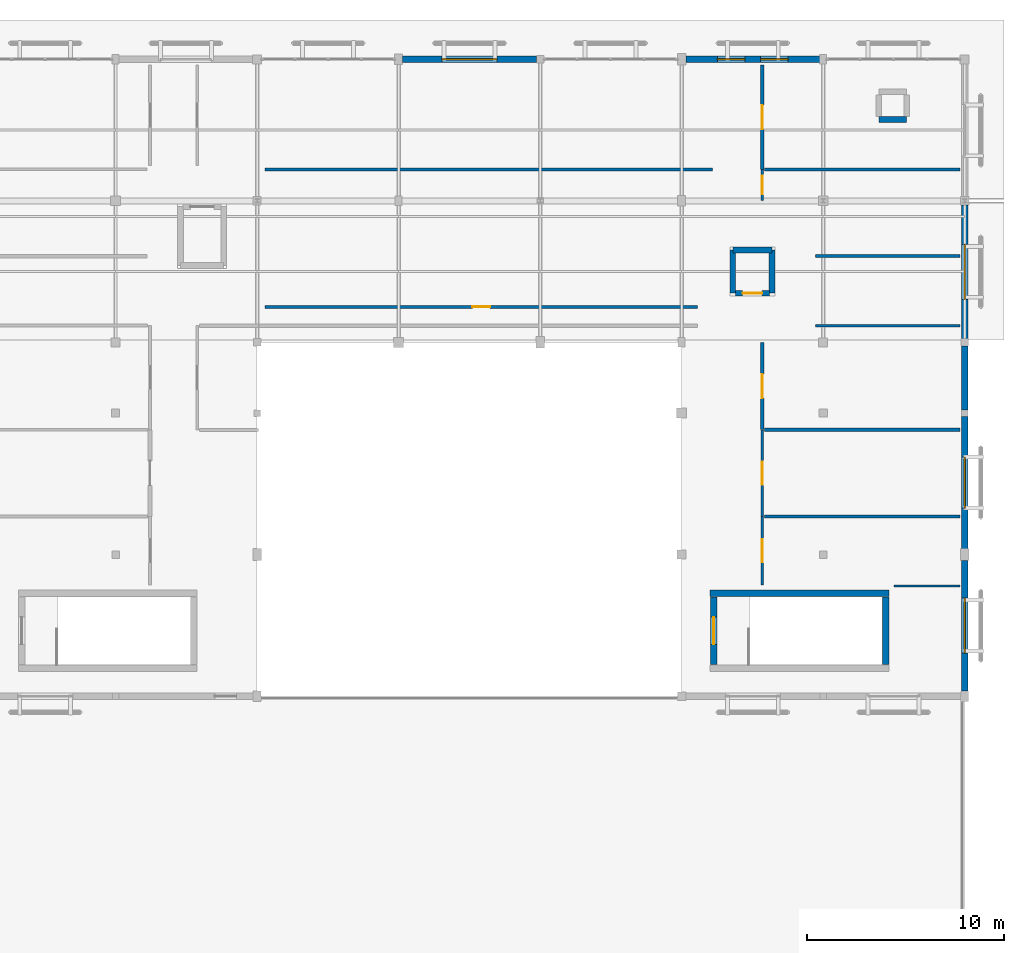
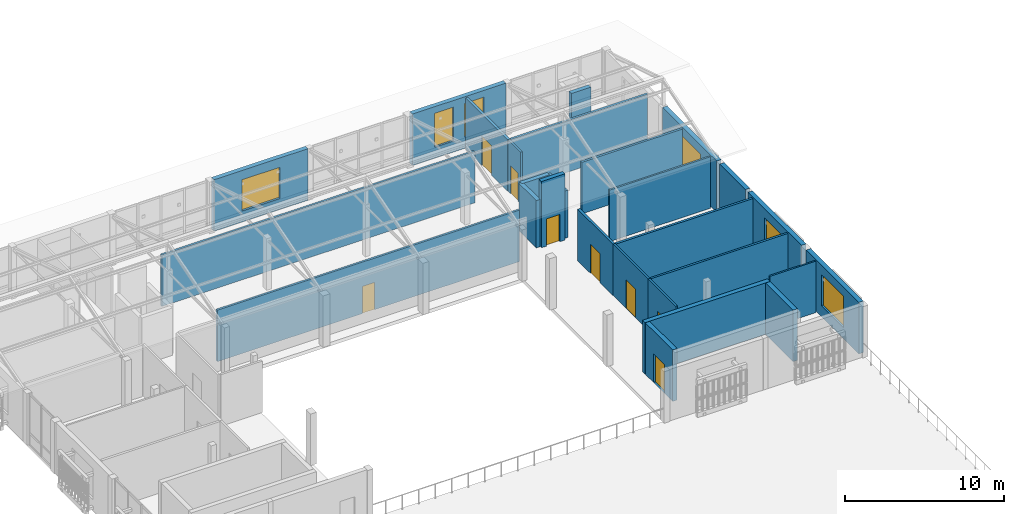
# One storey, part 52 of 61: 27 walls, 8 doors, 6 windows, 14 openings.
"""IFC4 building model written with IfcOpenShell, lengths in metres."""

from ifc_helpers import new_model, si_unit, direction, frame, frame_2d, origin, place, context, subcontext, project, spatial, rectangle, extrude, material, layer, layer_set, type_object, element, fill, save


model = new_model("IFC4")

# Units and contexts
model_context = context("Model", 3, precision=1e-05, world=origin(), true_north=direction((0.0, 1.0)))
body_context = subcontext(model_context, "Body", "Model", "MODEL_VIEW")
ifc_project = project(units=[si_unit("LENGTHUNIT", "METRE"), si_unit("AREAUNIT", "SQUARE_METRE"), si_unit("VOLUMEUNIT", "CUBIC_METRE"), si_unit("PLANEANGLEUNIT", "RADIAN"), si_unit("MASSUNIT", "GRAM", prefix="KILO")], contexts=[model_context])

# Site, building, storey
site_placement = place(None, origin())
site = spatial("IfcSite", under=ifc_project, at=site_placement, CompositionType="ELEMENT")
building_placement = place(site_placement, origin())
building = spatial("IfcBuilding", under=site, at=building_placement, Name="Mazaris Harbour Polytechnic", CompositionType="ELEMENT")
storey_placement = place(building_placement, frame((0.0, 0.0, 18.0)))
storey = spatial("IfcBuildingStorey", under=building, at=storey_placement, Name="L04", CompositionType="ELEMENT", Elevation=18.0)

# Walls
ifc_material_1 = material(Name="Gypsum Board and Mineral Wool")
ifc_layer_1 = layer(ifc_material_1, 0.1201171875, Name="Gypsum Board and Mineral Wool")
ifc_layer_set_1 = layer_set([ifc_layer_1], Name="Gypsum Board and Mineral Wool")
wall_type_1 = type_object("IfcWallType", Name="Acoustic Stud Partition 120", PredefinedType="PARTITIONING", material=ifc_layer_set_1)
wall_1_placement = place(storey_placement, frame((169.205078125, 74.0, 0.0), z_axis=(0.0, 0.0, 1.0), x_axis=(1.0, 0.0, 0.0)))
element("IfcWall", 1, at=wall_1_placement, inside=storey, type_object=wall_type_1, Name="V5 L04 Partition 679", PredefinedType="PARTITIONING", context=body_context, shape_type="SweptSolid", body=[
    extrude(rectangle(XDim=3.344970703125, YDim=0.1201171875, at=frame_2d((1.67236328125, 0.0))), origin(), (0.0, 0.0, 1.0), 3.9599609375),
])
wall_2_placement = place(storey_placement, frame((165.205078125, 87.25, 0.0), z_axis=(0.0, 0.0, 1.0), x_axis=(1.0, 0.0, 0.0)))
element("IfcWall", 2, at=wall_2_placement, inside=storey, type_object=wall_type_1, Name="V5 L04 Partition 684", PredefinedType="PARTITIONING", context=body_context, shape_type="SweptSolid", body=[
    extrude(rectangle(XDim=7.344970703125, YDim=0.1201171875, at=frame_2d((3.67236328125, 0.0))), origin(), (0.0, 0.0, 1.0), 3.9599609375),
])
ifc_material_2 = material(Name="Double Gypsum and Mineral Wool")
ifc_layer_2 = layer(ifc_material_2, 0.14990234375, Name="Double Gypsum and Mineral Wool")
ifc_layer_set_2 = layer_set([ifc_layer_2], Name="Double Gypsum and Mineral Wool")
wall_type_2 = type_object("IfcWallType", Name="Classroom Acoustic Partition 150", PredefinedType="PARTITIONING", material=ifc_layer_set_2)
wall_3_placement = place(storey_placement, frame((137.205078125, 95.199951171875, 0.0), z_axis=(0.0, 0.0, 1.0), x_axis=(1.0, 0.0, 0.0)))
element("IfcWall", 3, at=wall_3_placement, inside=storey, type_object=wall_type_2, Name="V5 L04 Partition 677", PredefinedType="PARTITIONING", context=body_context, shape_type="SweptSolid", body=[
    extrude(rectangle(XDim=22.77490234375, YDim=0.14990234375, at=frame_2d((11.387451171875, 0.0))), origin(), (0.0, 0.0, 1.0), 3.9599609375),
])
wall_4_placement = place(storey_placement, frame((162.6201171875, 77.532958984375, 0.0), z_axis=(0.0, 0.0, 1.0), x_axis=(1.0, 0.0, 0.0)))
element("IfcWall", 4, at=wall_4_placement, inside=storey, type_object=wall_type_2, Name="V5 L04 Partition 680", PredefinedType="PARTITIONING", context=body_context, shape_type="SweptSolid", body=[
    extrude(rectangle(XDim=9.929931640625, YDim=0.14990234375, at=frame_2d((4.96484375, 0.0))), origin(), (0.0, 0.0, 1.0), 3.9599609375),
])
wall_5_placement = place(storey_placement, frame((165.205078125, 90.782958984375, 0.0), z_axis=(0.0, 0.0, 1.0), x_axis=(1.0, 0.0, 0.0)))
element("IfcWall", 5, at=wall_5_placement, inside=storey, type_object=wall_type_2, Name="V5 L04 Partition 686", PredefinedType="PARTITIONING", context=body_context, shape_type="SweptSolid", body=[
    extrude(rectangle(XDim=7.344970703125, YDim=0.14990234375, at=frame_2d((3.67236328125, 0.0))), origin(), (0.0, 0.0, 1.0), 3.9599609375),
])

# Wall, opening, door
ifc_material_3 = material(Name="Terracotta Block and Plaster", Category="masonry")
ifc_layer_3 = layer(ifc_material_3, 0.179931640625, Name="Terracotta Block and Plaster")
ifc_layer_set_3 = layer_set([ifc_layer_3], Name="Terracotta Block and Plaster")
wall_type_3 = type_object("IfcWallType", Name="Corridor Fire Partition 180", PredefinedType="PARTITIONING", material=ifc_layer_set_3)
wall_6_placement = place(storey_placement, frame((162.5, 81.955078125, 0.0), z_axis=(0.0, 0.0, 1.0), x_axis=(0.0, 1.0, 0.0)))
wall_6 = element("IfcWall", 6, at=wall_6_placement, inside=storey, type_object=wall_type_3, Name="V5 L04 Partition 683", PredefinedType="PARTITIONING", context=body_context, shape_type="SweptSolid", body=[
    extrude(rectangle(XDim=4.43994140625, YDim=0.179931640625, at=frame_2d((2.219970703125, 0.0))), origin(), (0.0, 0.0, 1.0), 3.9599609375),
])
opening_1_placement = place(wall_6_placement, frame((1.610107421875, 0.0, 0.0)))
opening_1 = element("IfcOpeningElement", 7, at=opening_1_placement, cuts=wall_6, Name="Opening ID-10L", PredefinedType="OPENING", context=body_context, shape_type="SweptSolid", body=[
    extrude(rectangle(XDim=1.219970703125, YDim=2.25, at=frame_2d((0.60986328125, 1.125))), frame((0.0, 0.099853515625, 0.0), z_axis=(0.0, -1.0, 0.0), x_axis=(1.0, 0.0, 0.0)), (0.0, 0.0, 1.0), 0.199951171875),
])
ifc_material_4 = material(Name="Glulam Timber and Glass", Category="wood")
door_type_1 = type_object("IfcDoorType", Name="Library Commons Door LH 1220x2250", OperationType="SINGLE_SWING_LEFT", PredefinedType="DOOR", material=ifc_material_4)
door_1_placement = place(opening_1_placement, origin())
door_1 = element("IfcDoor", 8, at=door_1_placement, inside=storey, type_object=door_type_1, Name="ID-0331", OperationType="SINGLE_SWING_LEFT", OverallHeight=2.25, OverallWidth=1.219970703125, PredefinedType="DOOR", context=body_context, shape_type="SweptSolid", body=[
    extrude(rectangle(XDim=1.219970703125, YDim=2.25, at=frame_2d((0.60986328125, 1.125))), frame((0.0, 0.02490234375, 0.0), z_axis=(0.0, -1.0, 0.0), x_axis=(1.0, 0.0, 0.0)), (0.0, 0.0, 1.0), 0.050048828125),
])
fill(opening_1, door_1)

wall_7_placement = place(storey_placement, frame((162.5, 95.205078125, 0.0), z_axis=(0.0, 0.0, 1.0), x_axis=(0.0, 1.0, 0.0)))
wall_7 = element("IfcWall", 9, at=wall_7_placement, inside=storey, type_object=wall_type_3, Name="V5 L04 Partition 688", PredefinedType="PARTITIONING", context=body_context, shape_type="SweptSolid", body=[
    extrude(rectangle(XDim=5.294921875, YDim=0.179931640625, at=frame_2d((2.6474609375, 0.0))), origin(), (0.0, 0.0, 1.0), 3.9599609375),
])
opening_2_placement = place(wall_7_placement, frame((2.027587890625, 0.0, 0.0)))
opening_2 = element("IfcOpeningElement", 10, at=opening_2_placement, cuts=wall_7, Name="Opening ID-10R", PredefinedType="OPENING", context=body_context, shape_type="SweptSolid", body=[
    extrude(rectangle(XDim=1.239990234375, YDim=2.25, at=frame_2d((0.6201171875, 1.125))), frame((0.0, 0.099853515625, 0.0), z_axis=(0.0, -1.0, 0.0), x_axis=(1.0, 0.0, 0.0)), (0.0, 0.0, 1.0), 0.199951171875),
])
ifc_material_5 = material(Name="Glulam Timber and Glass", Category="wood")
door_type_2 = type_object("IfcDoorType", Name="Library Commons Door RH 1240x2250", OperationType="SINGLE_SWING_RIGHT", PredefinedType="DOOR", material=ifc_material_5)
door_2_placement = place(opening_2_placement, origin())
door_2 = element("IfcDoor", 11, at=door_2_placement, inside=storey, type_object=door_type_2, Name="ID-0333", OperationType="SINGLE_SWING_RIGHT", OverallHeight=2.25, OverallWidth=1.239990234375, PredefinedType="DOOR", context=body_context, shape_type="SweptSolid", body=[
    extrude(rectangle(XDim=1.239990234375, YDim=2.25, at=frame_2d((0.6201171875, 1.125))), frame((0.0, 0.02490234375, 0.0), z_axis=(0.0, -1.0, 0.0), x_axis=(1.0, 0.0, 0.0)), (0.0, 0.0, 1.0), 0.050048828125),
])
fill(opening_2, door_2)

# Walls
ifc_material_6 = material(Name="Fireboard and Mineral Wool")
ifc_layer_4 = layer(ifc_material_6, 0.1650390625, Name="Fireboard and Mineral Wool")
ifc_layer_set_4 = layer_set([ifc_layer_4], Name="Fireboard and Mineral Wool")
wall_type_4 = type_object("IfcWallType", Name="Laboratory Rated Partition 165", PredefinedType="PARTITIONING", material=ifc_layer_set_4)
for number, where, z_axis, x_axis, name in (
    (12, (162.6201171875, 81.949951171875, 0.0), (0.0, 0.0, 1.0), (1.0, 0.0, 0.0), "V5 L04 Partition 682"),
    (13, (162.6201171875, 95.199951171875, 0.0), (0.0, 0.0, 1.0), (1.0, 0.0, 0.0), "V5 L04 Partition 687"),
):
    element("IfcWall", number, at=place(storey_placement, frame(where, z_axis=z_axis, x_axis=x_axis)), inside=storey, type_object=wall_type_4, Name=name, PredefinedType="PARTITIONING", context=body_context, shape_type="SweptSolid", body=[
        extrude(rectangle(XDim=9.929931640625, YDim=0.1650390625, at=frame_2d((4.96484375, 0.0))), origin(), (0.0, 0.0, 1.0), 3.9599609375),
    ])

# Wall, opening, window
ifc_material_7 = material(Name="Algerian Buff Limestone and Mineral Wool", Category="masonry")
ifc_layer_5 = layer(ifc_material_7, 0.330078125, Name="Algerian Buff Limestone and Mineral Wool")
ifc_layer_set_5 = layer_set([ifc_layer_5], Name="Algerian Buff Limestone and Mineral Wool")
wall_type_5 = type_object("IfcWallType", Name="Limestone Cavity Wall 330", PredefinedType="STANDARD", material=ifc_layer_set_5)
wall_8_placement = place(storey_placement, frame((144.19189453125, 100.800048828125, 0.0), z_axis=(0.0, 0.0, 1.0), x_axis=(1.0, 0.0, 0.0)))
wall_8 = element("IfcWall", 14, at=wall_8_placement, inside=storey, type_object=wall_type_5, Name="V5 L04 Exterior Wall 381", PredefinedType="STANDARD", context=body_context, shape_type="SweptSolid", body=[
    extrude(rectangle(XDim=6.826171875, YDim=0.330078125, at=frame_2d((3.4130859375, 0.0))), origin(), (0.0, 0.0, 1.0), 3.9599609375),
])
opening_3_placement = place(wall_8_placement, frame((2.012939453125, 0.0, 0.85009765625)))
opening_3 = element("IfcOpeningElement", 15, at=opening_3_placement, cuts=wall_8, Name="Opening WN-09", PredefinedType="OPENING", context=body_context, shape_type="SweptSolid", body=[
    extrude(rectangle(XDim=2.800048828125, YDim=2.39990234375, at=frame_2d((1.39990234375, 1.199951171875))), frame((0.0, 0.175048828125, 0.0), z_axis=(0.0, -1.0, 0.0), x_axis=(1.0, 0.0, 0.0)), (0.0, 0.0, 1.0), 0.35009765625),
])
ifc_material_8 = material(Name="Thermally Broken Bronze Aluminium and Low-E Glass", Category="aluminium")
window_type_1 = type_object("IfcWindowType", Name="Studio North Window 2800x2400", PartitioningType="DOUBLE_PANEL_VERTICAL", PredefinedType="WINDOW", material=ifc_material_8)
window_1_placement = place(opening_3_placement, origin())
window_1 = element("IfcWindow", 16, at=window_1_placement, inside=storey, type_object=window_type_1, Name="WN-0442", OverallHeight=2.39990234375, OverallWidth=2.800048828125, PartitioningType="DOUBLE_PANEL_VERTICAL", PredefinedType="WINDOW", context=body_context, shape_type="SweptSolid", body=[
    extrude(rectangle(XDim=2.800048828125, YDim=2.39990234375, at=frame_2d((1.39990234375, 1.199951171875))), frame((0.0, 0.030029296875, 0.0), z_axis=(0.0, -1.0, 0.0), x_axis=(1.0, 0.0, 0.0)), (0.0, 0.0, 1.0), 0.06005859375),
])
fill(opening_3, window_1)

# Wall, openings, windows
wall_9_placement = place(storey_placement, frame((158.612060546875, 100.800048828125, 0.0), z_axis=(0.0, 0.0, 1.0), x_axis=(1.0, 0.0, 0.0)))
wall_9 = element("IfcWall", 17, at=wall_9_placement, inside=storey, type_object=wall_type_5, Name="V5 L04 Exterior Wall 382", PredefinedType="STANDARD", context=body_context, shape_type="SweptSolid", body=[
    extrude(rectangle(XDim=6.81591796875, YDim=0.330078125, at=frame_2d((3.407958984375, 0.0))), origin(), (0.0, 0.0, 1.0), 3.9599609375),
])
opening_4_placement = place(wall_9_placement, frame((1.60791015625, 0.0, 0.85009765625)))
opening_4 = element("IfcOpeningElement", 18, at=opening_4_placement, cuts=wall_9, Name="Opening WN-01", PredefinedType="OPENING", context=body_context, shape_type="SweptSolid", body=[
    extrude(rectangle(XDim=1.39990234375, YDim=2.60009765625, at=frame_2d((0.699951171875, 1.300048828125))), frame((0.0, 0.175048828125, 0.0), z_axis=(0.0, -1.0, 0.0), x_axis=(1.0, 0.0, 0.0)), (0.0, 0.0, 1.0), 0.35009765625),
])
opening_5_placement = place(wall_9_placement, frame((3.80810546875, 0.0, 0.85009765625)))
opening_5 = element("IfcOpeningElement", 19, at=opening_5_placement, cuts=wall_9, Name="Opening WN-01", PredefinedType="OPENING", context=body_context, shape_type="SweptSolid", body=[
    extrude(rectangle(XDim=1.39990234375, YDim=2.60009765625, at=frame_2d((0.699951171875, 1.300048828125))), frame((0.0, 0.175048828125, 0.0), z_axis=(0.0, -1.0, 0.0), x_axis=(1.0, 0.0, 0.0)), (0.0, 0.0, 1.0), 0.35009765625),
])
ifc_material_9 = material(Name="Thermally Broken Bronze Aluminium and Low-E Glass", Category="aluminium")
window_type_2 = type_object("IfcWindowType", Name="Neoclassical Tall Window 1400x2600", PartitioningType="DOUBLE_PANEL_VERTICAL", PredefinedType="WINDOW", material=ifc_material_9)
window_2_placement = place(opening_4_placement, origin())
window_2 = element("IfcWindow", 20, at=window_2_placement, inside=storey, type_object=window_type_2, Name="WN-0443", OverallHeight=2.60009765625, OverallWidth=1.39990234375, PartitioningType="DOUBLE_PANEL_VERTICAL", PredefinedType="WINDOW", context=body_context, shape_type="SweptSolid", body=[
    extrude(rectangle(XDim=1.39990234375, YDim=2.60009765625, at=frame_2d((0.699951171875, 1.300048828125))), frame((0.0, 0.030029296875, 0.0), z_axis=(0.0, -1.0, 0.0), x_axis=(1.0, 0.0, 0.0)), (0.0, 0.0, 1.0), 0.06005859375),
])
fill(opening_4, window_2)
window_3_placement = place(opening_5_placement, origin())
window_3 = element("IfcWindow", 21, at=window_3_placement, inside=storey, type_object=window_type_2, Name="WN-0444", OverallHeight=2.60009765625, OverallWidth=1.39990234375, PartitioningType="DOUBLE_PANEL_VERTICAL", PredefinedType="WINDOW", context=body_context, shape_type="SweptSolid", body=[
    extrude(rectangle(XDim=1.39990234375, YDim=2.60009765625, at=frame_2d((0.699951171875, 1.300048828125))), frame((0.0, 0.030029296875, 0.0), z_axis=(0.0, -1.0, 0.0), x_axis=(1.0, 0.0, 0.0)), (0.0, 0.0, 1.0), 0.06005859375),
])
fill(opening_5, window_3)

# Wall, opening, window
wall_10_placement = place(storey_placement, frame((172.800048828125, 75.30810546875, 0.0), z_axis=(0.0, 0.0, 1.0), x_axis=(0.0, -1.0, 0.0)))
wall_10 = element("IfcWall", 22, at=wall_10_placement, inside=storey, type_object=wall_type_5, Name="V5 L04 Exterior Wall 385", PredefinedType="STANDARD", context=body_context, shape_type="SweptSolid", body=[
    extrude(rectangle(XDim=6.64599609375, YDim=0.330078125, at=frame_2d((3.322998046875, 0.0))), origin(), (0.0, 0.0, 1.0), 3.9599609375),
])
opening_6_placement = place(wall_10_placement, frame((1.923095703125, 0.0, 0.85009765625)))
opening_6 = element("IfcOpeningElement", 23, at=opening_6_placement, cuts=wall_10, Name="Opening WN-09", PredefinedType="OPENING", context=body_context, shape_type="SweptSolid", body=[
    extrude(rectangle(XDim=2.800048828125, YDim=2.39990234375, at=frame_2d((1.39990234375, 1.199951171875))), frame((0.0, 0.175048828125, 0.0), z_axis=(0.0, -1.0, 0.0), x_axis=(1.0, 0.0, 0.0)), (0.0, 0.0, 1.0), 0.35009765625),
])
window_4_placement = place(opening_6_placement, origin())
window_4 = element("IfcWindow", 24, at=window_4_placement, inside=storey, type_object=window_type_1, Name="WN-0447", OverallHeight=2.39990234375, OverallWidth=2.800048828125, PartitioningType="DOUBLE_PANEL_VERTICAL", PredefinedType="WINDOW", context=body_context, shape_type="SweptSolid", body=[
    extrude(rectangle(XDim=2.800048828125, YDim=2.39990234375, at=frame_2d((1.39990234375, 1.199951171875))), frame((0.0, 0.030029296875, 0.0), z_axis=(0.0, -1.0, 0.0), x_axis=(1.0, 0.0, 0.0)), (0.0, 0.0, 1.0), 0.06005859375),
])
fill(opening_6, window_4)

wall_11_placement = place(storey_placement, frame((172.800048828125, 82.637939453125, 0.0), z_axis=(0.0, 0.0, 1.0), x_axis=(0.0, -1.0, 0.0)))
wall_11 = element("IfcWall", 25, at=wall_11_placement, inside=storey, type_object=wall_type_5, Name="V5 L04 Exterior Wall 386", PredefinedType="STANDARD", context=body_context, shape_type="SweptSolid", body=[
    extrude(rectangle(XDim=6.745849609375, YDim=0.330078125, at=frame_2d((3.373046875, 0.0))), origin(), (0.0, 0.0, 1.0), 3.9599609375),
])
opening_7_placement = place(wall_11_placement, frame((2.072998046875, 0.0, 0.85009765625)))
opening_7 = element("IfcOpeningElement", 26, at=opening_7_placement, cuts=wall_11, Name="Opening WN-08", PredefinedType="OPENING", context=body_context, shape_type="SweptSolid", body=[
    extrude(rectangle(XDim=2.60009765625, YDim=2.39990234375, at=frame_2d((1.300048828125, 1.199951171875))), frame((0.0, 0.175048828125, 0.0), z_axis=(0.0, -1.0, 0.0), x_axis=(1.0, 0.0, 0.0)), (0.0, 0.0, 1.0), 0.35009765625),
])
ifc_material_10 = material(Name="Thermally Broken Bronze Aluminium and Low-E Glass", Category="aluminium")
window_type_3 = type_object("IfcWindowType", Name="Studio North Window 2600x2400", PartitioningType="DOUBLE_PANEL_VERTICAL", PredefinedType="WINDOW", material=ifc_material_10)
window_5_placement = place(opening_7_placement, origin())
window_5 = element("IfcWindow", 27, at=window_5_placement, inside=storey, type_object=window_type_3, Name="WN-0448", OverallHeight=2.39990234375, OverallWidth=2.60009765625, PartitioningType="DOUBLE_PANEL_VERTICAL", PredefinedType="WINDOW", context=body_context, shape_type="SweptSolid", body=[
    extrude(rectangle(XDim=2.60009765625, YDim=2.39990234375, at=frame_2d((1.300048828125, 1.199951171875))), frame((0.0, 0.030029296875, 0.0), z_axis=(0.0, -1.0, 0.0), x_axis=(1.0, 0.0, 0.0)), (0.0, 0.0, 1.0), 0.06005859375),
])
fill(opening_7, window_5)

# Wall
wall_12_placement = place(storey_placement, frame((172.800048828125, 86.218017578125, 0.0), z_axis=(0.0, 0.0, 1.0), x_axis=(0.0, -1.0, 0.0)))
element("IfcWall", 28, at=wall_12_placement, inside=storey, type_object=wall_type_5, Name="V5 L04 Exterior Wall 387", PredefinedType="STANDARD", context=body_context, shape_type="SweptSolid", body=[
    extrude(rectangle(XDim=3.256103515625, YDim=0.330078125, at=frame_2d((1.6279296875, 0.0))), origin(), (0.0, 0.0, 1.0), 3.9599609375),
])

# Wall, opening, window
wall_13_placement = place(storey_placement, frame((172.800048828125, 93.39794921875, 0.0), z_axis=(0.0, 0.0, 1.0), x_axis=(0.0, -1.0, 0.0)))
wall_13 = element("IfcWall", 29, at=wall_13_placement, inside=storey, type_object=wall_type_5, Name="V5 L04 Exterior Wall 388", PredefinedType="STANDARD", context=body_context, shape_type="SweptSolid", body=[
    extrude(rectangle(XDim=6.81591796875, YDim=0.330078125, at=frame_2d((3.407958984375, 0.0))), origin(), (0.0, 0.0, 1.0), 3.9599609375),
])
opening_8_placement = place(wall_13_placement, frame((2.008056640625, 0.0, 0.85009765625)))
opening_8 = element("IfcOpeningElement", 30, at=opening_8_placement, cuts=wall_13, Name="Opening WN-09", PredefinedType="OPENING", context=body_context, shape_type="SweptSolid", body=[
    extrude(rectangle(XDim=2.800048828125, YDim=2.39990234375, at=frame_2d((1.39990234375, 1.199951171875))), frame((0.0, 0.175048828125, 0.0), z_axis=(0.0, -1.0, 0.0), x_axis=(1.0, 0.0, 0.0)), (0.0, 0.0, 1.0), 0.35009765625),
])
window_6_placement = place(opening_8_placement, origin())
window_6 = element("IfcWindow", 31, at=window_6_placement, inside=storey, type_object=window_type_1, Name="WN-0449", OverallHeight=2.39990234375, OverallWidth=2.800048828125, PartitioningType="DOUBLE_PANEL_VERTICAL", PredefinedType="WINDOW", context=body_context, shape_type="SweptSolid", body=[
    extrude(rectangle(XDim=2.800048828125, YDim=2.39990234375, at=frame_2d((1.39990234375, 1.199951171875))), frame((0.0, 0.030029296875, 0.0), z_axis=(0.0, -1.0, 0.0), x_axis=(1.0, 0.0, 0.0)), (0.0, 0.0, 1.0), 0.06005859375),
])
fill(opening_8, window_6)

# Walls
ifc_material_11 = material(Name="Concrete C40/50", Category="concrete")
ifc_layer_6 = layer(ifc_material_11, 0.324951171875, Name="Concrete C40/50")
ifc_layer_set_6 = layer_set([ifc_layer_6], Name="Concrete C40/50")
wall_type_6 = type_object("IfcWallType", Name="RC Core Shear Wall 325", PredefinedType="SHEAR", material=ifc_layer_set_6)
wall_14_placement = place(storey_placement, frame((168.949951171875, 73.625, 0.0), z_axis=(0.0, 0.0, 1.0), x_axis=(-1.0, 0.0, 0.0)))
element("IfcWall", 32, at=wall_14_placement, inside=storey, type_object=wall_type_6, Name="Core ST10 L04 Shear Wall N", PredefinedType="SHEAR", context=body_context, shape_type="SweptSolid", body=[
    extrude(rectangle(XDim=9.099853515625, YDim=0.324951171875, at=frame_2d((4.5498046875, 0.0))), origin(), (0.0, 0.0, 1.0), 3.9599609375),
])
wall_15_placement = place(storey_placement, frame((168.77490234375, 70.0, 0.0), z_axis=(0.0, 0.0, 1.0), x_axis=(0.0, 1.0, 0.0)))
element("IfcWall", 33, at=wall_15_placement, inside=storey, type_object=wall_type_6, Name="Core ST10 L04 Shear Wall E", PredefinedType="SHEAR", context=body_context, shape_type="SweptSolid", body=[
    extrude(rectangle(XDim=3.449951171875, YDim=0.324951171875, at=frame_2d((1.72509765625, 0.0))), origin(), (0.0, 0.0, 1.0), 3.9599609375),
])

# Wall, opening, door
wall_16_placement = place(storey_placement, frame((160.02490234375, 73.449951171875, 0.0), z_axis=(0.0, 0.0, 1.0), x_axis=(0.0, -1.0, 0.0)))
wall_16 = element("IfcWall", 34, at=wall_16_placement, inside=storey, type_object=wall_type_6, Name="Core ST10 L04 Entrance Shear Wall", PredefinedType="SHEAR", context=body_context, shape_type="SweptSolid", body=[
    extrude(rectangle(XDim=3.449951171875, YDim=0.324951171875, at=frame_2d((1.72509765625, 0.0))), origin(), (0.0, 0.0, 1.0), 3.9599609375),
])
opening_9_placement = place(wall_16_placement, frame((1.034912109375, 0.0, 0.0)))
opening_9 = element("IfcOpeningElement", 35, at=opening_9_placement, cuts=wall_16, Name="Opening SD-01", PredefinedType="OPENING", context=body_context, shape_type="SweptSolid", body=[
    extrude(rectangle(XDim=1.3798828125, YDim=2.199951171875, at=frame_2d((0.68994140625, 1.10009765625))), frame((0.0, 0.17236328125, 0.0), z_axis=(0.0, -1.0, 0.0), x_axis=(1.0, 0.0, 0.0)), (0.0, 0.0, 1.0), 0.344970703125),
])
ifc_material_12 = material(Name="Glulam Timber and Fire Glass", Category="wood")
door_type_3 = type_object("IfcDoorType", Name="Protected Stair Lobby Fire Door 1380x2200", OperationType="DOUBLE_DOOR_SINGLE_SWING", PredefinedType="DOOR", material=ifc_material_12)
door_3_placement = place(opening_9_placement, origin())
door_3 = element("IfcDoor", 36, at=door_3_placement, inside=storey, type_object=door_type_3, Name="SD-053", OperationType="DOUBLE_DOOR_SINGLE_SWING", OverallHeight=2.199951171875, OverallWidth=1.3798828125, PredefinedType="DOOR", context=body_context, shape_type="SweptSolid", body=[
    extrude(rectangle(XDim=1.3798828125, YDim=2.199951171875, at=frame_2d((0.68994140625, 1.10009765625))), frame((0.0, 0.02490234375, 0.0), z_axis=(0.0, -1.0, 0.0), x_axis=(1.0, 0.0, 0.0)), (0.0, 0.0, 1.0), 0.050048828125),
])
fill(opening_9, door_3)

# Walls
ifc_material_13 = material(Name="Concrete C40/50", Category="concrete")
ifc_layer_7 = layer(ifc_material_13, 0.300048828125, Name="Concrete C40/50")
ifc_layer_set_7 = layer_set([ifc_layer_7], Name="Concrete C40/50")
wall_type_7 = type_object("IfcWallType", Name="RC Lift Shaft Wall 300", PredefinedType="SHEAR", material=ifc_layer_set_7)
wall_17_placement = place(storey_placement, frame((168.429931640625, 97.72998046875, 0.0), z_axis=(0.0, 0.0, 1.0), x_axis=(1.0, 0.0, 0.0)))
element("IfcWall", 37, at=wall_17_placement, inside=storey, type_object=wall_type_7, Name="V5 L04 Riser Enclosure Wall 1-1", PredefinedType="SHEAR", context=body_context, shape_type="SweptSolid", body=[
    extrude(rectangle(XDim=1.420166015625, YDim=0.300048828125, at=frame_2d((0.7099609375, 0.0))), origin(), (0.0, 0.0, 1.0), 3.9599609375),
])
wall_18_placement = place(storey_placement, frame((163.0, 91.10009765625, 0.0), z_axis=(0.0, 0.0, 1.0), x_axis=(-1.0, 0.0, 0.0)))
element("IfcWall", 38, at=wall_18_placement, inside=storey, type_object=wall_type_7, Name="Lift LP-04 L04 North Shaft Wall", PredefinedType="SHEAR", context=body_context, shape_type="SweptSolid", body=[
    extrude(rectangle(XDim=2.0, YDim=0.300048828125, at=frame_2d((1.0, 0.0))), origin(), (0.0, 0.0, 1.0), 3.639892578125),
])
for number, where, z_axis, x_axis, name in (
    (39, (161.0, 91.10009765625, 0.0), (0.0, 0.0, 1.0), (0.0, -1.0, 0.0), "Lift LP-04 L04 West Shaft Wall"),
    (40, (163.0, 88.89990234375, 0.0), (0.0, 0.0, 1.0), (0.0, 1.0, 0.0), "Lift LP-04 L04 East Shaft Wall"),
):
    element("IfcWall", number, at=place(storey_placement, frame(where, z_axis=z_axis, x_axis=x_axis)), inside=storey, type_object=wall_type_7, Name=name, PredefinedType="SHEAR", context=body_context, shape_type="SweptSolid", body=[
        extrude(rectangle(XDim=2.2001953125, YDim=0.300048828125, at=frame_2d((1.10009765625, 0.0))), origin(), (0.0, 0.0, 1.0), 3.639892578125),
    ])

# Wall, opening, door
wall_19_placement = place(storey_placement, frame((162.860107421875, 88.89990234375, 0.0), z_axis=(0.0, 0.0, 1.0), x_axis=(-1.0, 0.0, 0.0)))
wall_19 = element("IfcWall", 41, at=wall_19_placement, inside=storey, type_object=wall_type_7, Name="Lift LP-04 L04 Front Shaft Wall", PredefinedType="SHEAR", context=body_context, shape_type="SweptSolid", body=[
    extrude(rectangle(XDim=1.72021484375, YDim=0.300048828125, at=frame_2d((0.860107421875, 0.0))), origin(), (0.0, 0.0, 1.0), 5.10009765625),
])
opening_10_placement = place(wall_19_placement, frame((0.360107421875, 0.0, 0.0)))
opening_10 = element("IfcOpeningElement", 42, at=opening_10_placement, cuts=wall_19, Name="Opening LD-01", PredefinedType="OPENING", context=body_context, shape_type="SweptSolid", body=[
    extrude(rectangle(XDim=1.0, YDim=2.10009765625, at=frame_2d((0.5, 1.050048828125))), frame((0.0, 0.159912109375, 0.0), z_axis=(0.0, -1.0, 0.0), x_axis=(1.0, 0.0, 0.0)), (0.0, 0.0, 1.0), 0.320068359375),
])
ifc_material_14 = material(Name="Stainless Steel S355", Category="steel")
door_type_4 = type_object("IfcDoorType", Name="Sliding Passenger Lift Landing Door 1000x2100", OperationType="SLIDING_TO_LEFT", PredefinedType="DOOR", material=ifc_material_14)
door_4_placement = place(opening_10_placement, origin())
door_4 = element("IfcDoor", 43, at=door_4_placement, inside=storey, type_object=door_type_4, Name="LD-035", OperationType="SLIDING_TO_LEFT", OverallHeight=2.10009765625, OverallWidth=1.0, PredefinedType="DOOR", context=body_context, shape_type="SweptSolid", body=[
    extrude(rectangle(XDim=1.0, YDim=2.10009765625, at=frame_2d((0.5, 1.050048828125))), frame((0.0, 0.02490234375, 0.0), z_axis=(0.0, -1.0, 0.0), x_axis=(1.0, 0.0, 0.0)), (0.0, 0.0, 1.0), 0.050048828125),
])
fill(opening_10, door_4)

ifc_material_15 = material(Name="Moisture-Resistant Gypsum and Steel Stud", Category="steel")
ifc_layer_8 = layer(ifc_material_15, 0.14501953125, Name="Moisture-Resistant Gypsum and Steel Stud")
ifc_layer_set_8 = layer_set([ifc_layer_8], Name="Moisture-Resistant Gypsum and Steel Stud")
wall_type_8 = type_object("IfcWallType", Name="Sanitary Plumbing Wall 145", PredefinedType="PLUMBINGWALL", material=ifc_layer_set_8)
wall_20_placement = place(storey_placement, frame((137.205078125, 88.199951171875, 0.0), z_axis=(0.0, 0.0, 1.0), x_axis=(1.0, 0.0, 0.0)))
wall_20 = element("IfcWall", 44, at=wall_20_placement, inside=storey, type_object=wall_type_8, Name="V5 L04 Partition 693", PredefinedType="PLUMBINGWALL", context=body_context, shape_type="SweptSolid", body=[
    extrude(rectangle(XDim=21.989990234375, YDim=0.14501953125, at=frame_2d((10.9951171875, 0.0))), origin(), (0.0, 0.0, 1.0), 3.9599609375),
])
opening_11_placement = place(wall_20_placement, frame((10.544921875, 0.0, 0.0)))
opening_11 = element("IfcOpeningElement", 45, at=opening_11_placement, cuts=wall_20, Name="Opening ID-07R", PredefinedType="OPENING", context=body_context, shape_type="SweptSolid", body=[
    extrude(rectangle(XDim=0.89990234375, YDim=2.10009765625, at=frame_2d((0.449951171875, 1.050048828125))), frame((0.0, 0.08251953125, 0.0), z_axis=(0.0, -1.0, 0.0), x_axis=(1.0, 0.0, 0.0)), (0.0, 0.0, 1.0), 0.1650390625),
])
ifc_material_16 = material(Name="Moisture-Resistant Laminate Timber", Category="wood")
door_type_5 = type_object("IfcDoorType", Name="Sanitary Room Door RH 900x2100", OperationType="SINGLE_SWING_RIGHT", PredefinedType="DOOR", material=ifc_material_16)
door_5_placement = place(opening_11_placement, origin())
door_5 = element("IfcDoor", 46, at=door_5_placement, inside=storey, type_object=door_type_5, Name="ID-0338", OperationType="SINGLE_SWING_RIGHT", OverallHeight=2.10009765625, OverallWidth=0.89990234375, PredefinedType="DOOR", context=body_context, shape_type="SweptSolid", body=[
    extrude(rectangle(XDim=0.89990234375, YDim=2.10009765625, at=frame_2d((0.449951171875, 1.050048828125))), frame((0.0, 0.02490234375, 0.0), z_axis=(0.0, -1.0, 0.0), x_axis=(1.0, 0.0, 0.0)), (0.0, 0.0, 1.0), 0.050048828125),
])
fill(opening_11, door_5)

ifc_material_17 = material(Name="Gypsum Board and Mineral Wool")
ifc_layer_9 = layer(ifc_material_17, 0.135009765625, Name="Gypsum Board and Mineral Wool")
ifc_layer_set_9 = layer_set([ifc_layer_9], Name="Gypsum Board and Mineral Wool")
wall_type_9 = type_object("IfcWallType", Name="Studio Partition Wall 135", PredefinedType="PARTITIONING", material=ifc_layer_set_9)
wall_21_placement = place(storey_placement, frame((162.5, 74.054931640625, 0.0), z_axis=(0.0, 0.0, 1.0), x_axis=(0.0, 1.0, 0.0)))
wall_21 = element("IfcWall", 47, at=wall_21_placement, inside=storey, type_object=wall_type_9, Name="V5 L04 Partition 678", PredefinedType="PARTITIONING", context=body_context, shape_type="SweptSolid", body=[
    extrude(rectangle(XDim=3.47802734375, YDim=0.135009765625, at=frame_2d((1.739013671875, 0.0))), origin(), (0.0, 0.0, 1.0), 3.9599609375),
])
opening_12_placement = place(wall_21_placement, frame((1.1640625, 0.0, 0.0)))
opening_12 = element("IfcOpeningElement", 48, at=opening_12_placement, cuts=wall_21, Name="Opening ID-03L", PredefinedType="OPENING", context=body_context, shape_type="SweptSolid", body=[
    extrude(rectangle(XDim=1.14990234375, YDim=2.199951171875, at=frame_2d((0.574951171875, 1.10009765625))), frame((0.0, 0.077392578125, 0.0), z_axis=(0.0, -1.0, 0.0), x_axis=(1.0, 0.0, 0.0)), (0.0, 0.0, 1.0), 0.155029296875),
])
ifc_material_18 = material(Name="Glulam Timber and Acoustic Glass", Category="wood")
door_type_6 = type_object("IfcDoorType", Name="Design Studio Door LH 1150x2200", OperationType="SINGLE_SWING_LEFT", PredefinedType="DOOR", material=ifc_material_18)
door_6_placement = place(opening_12_placement, origin())
door_6 = element("IfcDoor", 49, at=door_6_placement, inside=storey, type_object=door_type_6, Name="ID-0329", OperationType="SINGLE_SWING_LEFT", OverallHeight=2.199951171875, OverallWidth=1.14990234375, PredefinedType="DOOR", context=body_context, shape_type="SweptSolid", body=[
    extrude(rectangle(XDim=1.14990234375, YDim=2.199951171875, at=frame_2d((0.574951171875, 1.10009765625))), frame((0.0, 0.02490234375, 0.0), z_axis=(0.0, -1.0, 0.0), x_axis=(1.0, 0.0, 0.0)), (0.0, 0.0, 1.0), 0.050048828125),
])
fill(opening_12, door_6)

wall_22_placement = place(storey_placement, frame((162.5, 77.5380859375, 0.0), z_axis=(0.0, 0.0, 1.0), x_axis=(0.0, 1.0, 0.0)))
wall_22 = element("IfcWall", 50, at=wall_22_placement, inside=storey, type_object=wall_type_9, Name="V5 L04 Partition 681", PredefinedType="PARTITIONING", context=body_context, shape_type="SweptSolid", body=[
    extrude(rectangle(XDim=4.411865234375, YDim=0.135009765625, at=frame_2d((2.2060546875, 0.0))), origin(), (0.0, 0.0, 1.0), 3.9599609375),
])
opening_13_placement = place(wall_22_placement, frame((1.6259765625, 0.0, 0.0)))
opening_13 = element("IfcOpeningElement", 51, at=opening_13_placement, cuts=wall_22, Name="Opening ID-03R", PredefinedType="OPENING", context=body_context, shape_type="SweptSolid", body=[
    extrude(rectangle(XDim=1.159912109375, YDim=2.199951171875, at=frame_2d((0.580078125, 1.10009765625))), frame((0.0, 0.077392578125, 0.0), z_axis=(0.0, -1.0, 0.0), x_axis=(1.0, 0.0, 0.0)), (0.0, 0.0, 1.0), 0.155029296875),
])
ifc_material_19 = material(Name="Glulam Timber and Acoustic Glass", Category="wood")
door_type_7 = type_object("IfcDoorType", Name="Design Studio Door RH 1160x2200", OperationType="SINGLE_SWING_RIGHT", PredefinedType="DOOR", material=ifc_material_19)
door_7_placement = place(opening_13_placement, origin())
door_7 = element("IfcDoor", 52, at=door_7_placement, inside=storey, type_object=door_type_7, Name="ID-0330", OperationType="SINGLE_SWING_RIGHT", OverallHeight=2.199951171875, OverallWidth=1.159912109375, PredefinedType="DOOR", context=body_context, shape_type="SweptSolid", body=[
    extrude(rectangle(XDim=1.159912109375, YDim=2.199951171875, at=frame_2d((0.580078125, 1.10009765625))), frame((0.0, 0.02490234375, 0.0), z_axis=(0.0, -1.0, 0.0), x_axis=(1.0, 0.0, 0.0)), (0.0, 0.0, 1.0), 0.050048828125),
])
fill(opening_13, door_7)

wall_23_placement = place(storey_placement, frame((162.5, 93.60498046875, 0.0), z_axis=(0.0, 0.0, 1.0), x_axis=(0.0, 1.0, 0.0)))
wall_23 = element("IfcWall", 53, at=wall_23_placement, inside=storey, type_object=wall_type_9, Name="V5 L04 Partition 685", PredefinedType="PARTITIONING", context=body_context, shape_type="SweptSolid", body=[
    extrude(rectangle(XDim=1.594970703125, YDim=0.135009765625, at=frame_2d((0.79736328125, 0.0))), origin(), (0.0, 0.0, 1.0), 3.9599609375),
])
opening_14_placement = place(wall_23_placement, frame((0.322509765625, 0.0, 0.0)))
opening_14 = element("IfcOpeningElement", 54, at=opening_14_placement, cuts=wall_23, Name="Opening ID-01L", PredefinedType="OPENING", context=body_context, shape_type="SweptSolid", body=[
    extrude(rectangle(XDim=0.949951171875, YDim=2.14990234375, at=frame_2d((0.47509765625, 1.074951171875))), frame((0.0, 0.077392578125, 0.0), z_axis=(0.0, -1.0, 0.0), x_axis=(1.0, 0.0, 0.0)), (0.0, 0.0, 1.0), 0.155029296875),
])
ifc_material_20 = material(Name="Solid Oak Timber", Category="wood")
door_type_8 = type_object("IfcDoorType", Name="Classroom Single Door LH 950x2150", OperationType="SINGLE_SWING_LEFT", PredefinedType="DOOR", material=ifc_material_20)
door_8_placement = place(opening_14_placement, origin())
door_8 = element("IfcDoor", 55, at=door_8_placement, inside=storey, type_object=door_type_8, Name="ID-0332", OperationType="SINGLE_SWING_LEFT", OverallHeight=2.14990234375, OverallWidth=0.949951171875, PredefinedType="DOOR", context=body_context, shape_type="SweptSolid", body=[
    extrude(rectangle(XDim=0.949951171875, YDim=2.14990234375, at=frame_2d((0.47509765625, 1.074951171875))), frame((0.0, 0.02490234375, 0.0), z_axis=(0.0, -1.0, 0.0), x_axis=(1.0, 0.0, 0.0)), (0.0, 0.0, 1.0), 0.050048828125),
])
fill(opening_14, door_8)

save(model, "model.ifc")
